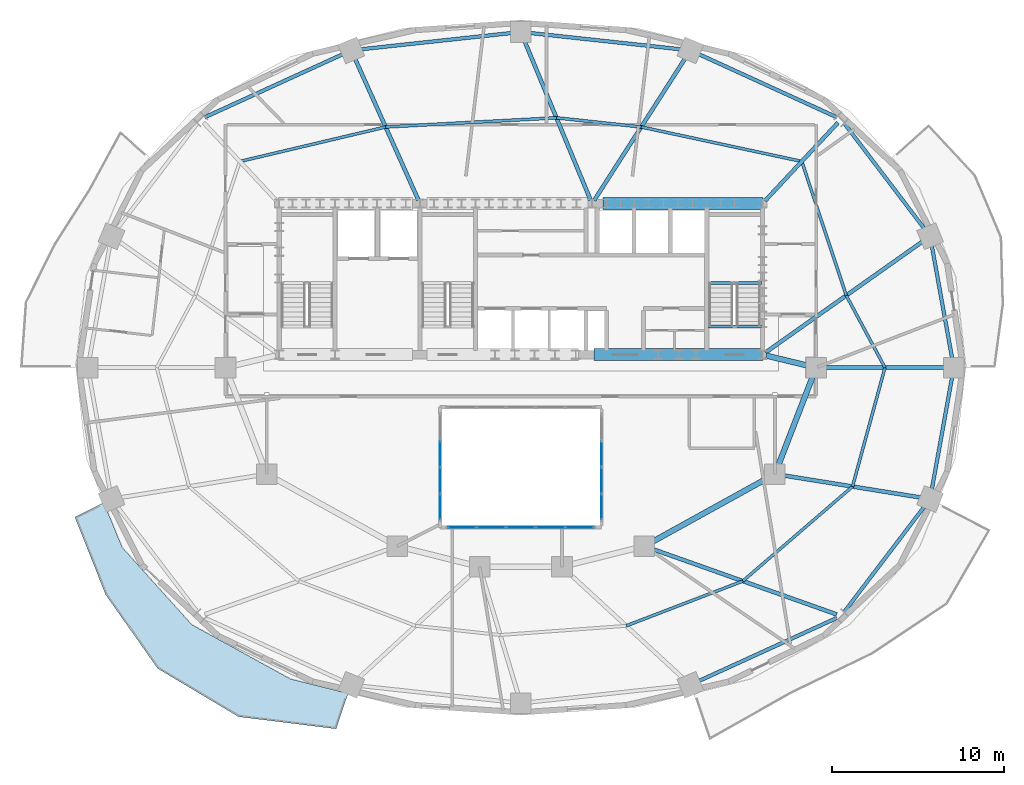
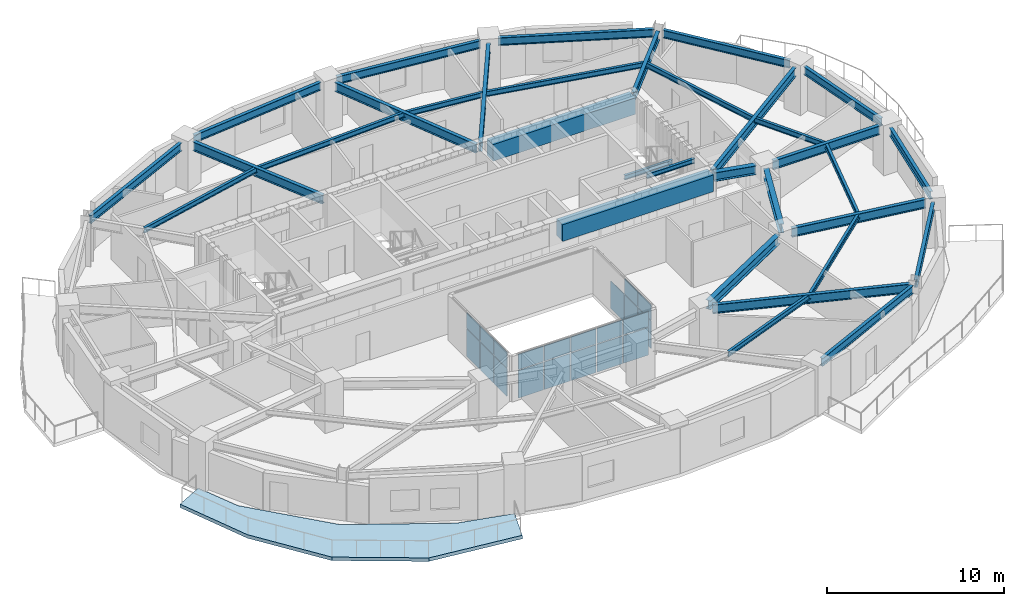
# One storey, part 4 of 12: 33 beams, 21 plates, 1 slab, 3 elements without a shape of their own.
"""IFC4 building model written with IfcOpenShell, lengths in metres."""

from ifc_helpers import new_model, si_unit, direction, frame, origin, origin_2d, place, context, subcontext, project, spatial, polyline, rectangle, i_section, outline, extrude, material, layer, layer_set, material_profile, profile_set, type_object, element, aggregate, save


model = new_model("IFC4")

# Units and contexts
model_context = context("Model", 3, precision=1e-05, world=origin(), true_north=direction((0.0, 1.0)))
body_context = subcontext(model_context, "Body", "Model", "MODEL_VIEW")
ifc_project = project(units=[si_unit("LENGTHUNIT", "METRE"), si_unit("AREAUNIT", "SQUARE_METRE"), si_unit("VOLUMEUNIT", "CUBIC_METRE"), si_unit("PLANEANGLEUNIT", "RADIAN"), si_unit("MASSUNIT", "GRAM", prefix="KILO")], contexts=[model_context])

# Site, building, storey
site_placement = place(None, origin())
site = spatial("IfcSite", under=ifc_project, at=site_placement, CompositionType="ELEMENT")
building_placement = place(site_placement, origin())
building = spatial("IfcBuilding", under=site, at=building_placement, Name="Haldorwick Loom Tower", CompositionType="ELEMENT")
storey_placement = place(building_placement, frame((0.0, 0.0, 146.0)))
storey = spatial("IfcBuildingStorey", under=building, at=storey_placement, Name="L39", CompositionType="ELEMENT", Elevation=146.0)

# Beams
ifc_material_1 = material(Name="Concrete C60 (60 MPa)", Category="concrete")
ifc_material_profile_1 = material_profile(ifc_material_1, rectangle(XDim=0.699951171875, YDim=1.14990234375, at=origin_2d()), Name="RC700X1150", Category="concrete")
ifc_profile_set_1 = profile_set([ifc_material_profile_1], Name="Concrete C60 (60 MPa)")
beam_type_1 = type_object("IfcBeamType", Name="STR-BM-CB1150", PredefinedType="LINTEL", material=ifc_profile_set_1)
beam_1_placement = place(storey_placement, frame((40.800048828125, 35.550048828125, 2.574951171875), z_axis=(1.0, 0.0, 0.0), x_axis=(0.0, 1.0, 0.0)))
element("IfcBeam", 1, at=beam_1_placement, inside=storey, type_object=beam_type_1, Name="L39 Core Coupling Beam CB-N3", PredefinedType="LINTEL", context=body_context, shape_type="SweptSolid", body=[
    extrude(rectangle(XDim=0.699951171875, YDim=1.14990234375, at=origin_2d()), origin(), (0.0, 0.0, 1.0), 9.300048828125),
])
beam_2_placement = place(storey_placement, frame((40.25, 26.75, 2.574951171875), z_axis=(1.0, 0.0, 0.0), x_axis=(0.0, 1.0, 0.0)))
element("IfcBeam", 2, at=beam_2_placement, inside=storey, type_object=beam_type_1, Name="L39 Core Coupling Beam CB-S3", PredefinedType="LINTEL", context=body_context, shape_type="SweptSolid", body=[
    extrude(rectangle(XDim=0.699951171875, YDim=1.14990234375, at=origin_2d()), origin(), (0.0, 0.0, 1.0), 9.85009765625),
])
ifc_material_2 = material(Name="Steel CSA G40.21 350W", Category="steel")
ifc_material_profile_2 = material_profile(ifc_material_2, i_section(OverallWidth=0.172119140625, OverallDepth=0.35791015625, WebThickness=0.0078125, FlangeThickness=0.01318359375, at=origin_2d()), Name="W360X57", Category="steel")
ifc_profile_set_2 = profile_set([ifc_material_profile_2], Name="Steel CSA G40.21 350W")
beam_type_2 = type_object("IfcBeamType", Name="STR-BM-J360", PredefinedType="JOIST", material=ifc_profile_set_2)
beam_3_placement = place(storey_placement, frame((57.20849609375, 26.0, 2.970947265625), z_axis=(-0.472930162238, 0.881099915813, 0.0), x_axis=(-0.881099915813, -0.472930162238, 0.0)))
element("IfcBeam", 3, at=beam_3_placement, inside=storey, type_object=beam_type_2, Name="L39 Mid-Bay Secondary Joist 1", PredefinedType="JOIST", context=body_context, shape_type="SweptSolid", body=[
    extrude(i_section(OverallWidth=0.172119140625, OverallDepth=0.35791015625, WebThickness=0.0078125, FlangeThickness=0.01318359375, at=origin_2d()), origin(), (0.0, 0.0, 1.0), 4.76904296875),
])
beam_4_placement = place(storey_placement, frame((54.953125, 30.201904296875, 2.970947265625), z_axis=(-0.314980632705, 0.949098098734, 0.0), x_axis=(-0.949098098734, -0.314980632705, 0.0)))
element("IfcBeam", 4, at=beam_4_placement, inside=storey, type_object=beam_type_2, Name="L39 Mid-Bay Secondary Joist 2", PredefinedType="JOIST", context=body_context, shape_type="SweptSolid", body=[
    extrude(i_section(OverallWidth=0.172119140625, OverallDepth=0.35791015625, WebThickness=0.0078125, FlangeThickness=0.01318359375, at=origin_2d()), origin(), (0.0, 0.0, 1.0), 8.223876953125),
])
beam_5_placement = place(storey_placement, frame((52.36279296875, 38.007080078125, 2.970947265625), z_axis=(-0.977737366421, 0.209832414808, 0.0), x_axis=(-0.209832414808, -0.977737366421, 0.0)))
element("IfcBeam", 5, at=beam_5_placement, inside=storey, type_object=beam_type_2, Name="L39 Mid-Bay Secondary Joist 3", PredefinedType="JOIST", context=body_context, shape_type="SweptSolid", body=[
    extrude(i_section(OverallWidth=0.172119140625, OverallDepth=0.35791015625, WebThickness=0.0078125, FlangeThickness=0.01318359375, at=origin_2d()), origin(), (0.0, 0.0, 1.0), 9.56396484375),
])
beam_6_placement = place(storey_placement, frame((43.01171875, 40.013916015625, 2.970947265625), z_axis=(-0.994212584227, 0.107430616514, 0.0), x_axis=(-0.107430616514, -0.994212584227, 0.0)))
element("IfcBeam", 6, at=beam_6_placement, inside=storey, type_object=beam_type_2, Name="L39 Mid-Bay Secondary Joist 4", PredefinedType="JOIST", context=body_context, shape_type="SweptSolid", body=[
    extrude(i_section(OverallWidth=0.172119140625, OverallDepth=0.35791015625, WebThickness=0.0078125, FlangeThickness=0.01318359375, at=origin_2d()), origin(), (0.0, 0.0, 1.0), 4.965576171875),
])
beam_7_placement = place(storey_placement, frame((38.074951171875, 40.54736328125, 2.970947265625), z_axis=(-0.998564927415, -0.053554511828, 0.0), x_axis=(0.053554511828, -0.998564927415, 0.0)))
element("IfcBeam", 7, at=beam_7_placement, inside=storey, type_object=beam_type_2, Name="L39 Mid-Bay Secondary Joist 5", PredefinedType="JOIST", context=body_context, shape_type="SweptSolid", body=[
    extrude(i_section(OverallWidth=0.172119140625, OverallDepth=0.35791015625, WebThickness=0.0078125, FlangeThickness=0.01318359375, at=origin_2d()), origin(), (0.0, 0.0, 1.0), 9.9609375),
])
beam_8_placement = place(storey_placement, frame((28.12841796875, 40.013916015625, 2.970947265625), z_axis=(-0.973189168086, -0.230006180612, 0.0), x_axis=(0.230006180612, -0.973189168086, 0.0)))
element("IfcBeam", 8, at=beam_8_placement, inside=storey, type_object=beam_type_2, Name="L39 Mid-Bay Secondary Joist 6", PredefinedType="JOIST", context=body_context, shape_type="SweptSolid", body=[
    extrude(i_section(OverallWidth=0.172119140625, OverallDepth=0.35791015625, WebThickness=0.0078125, FlangeThickness=0.01318359375, at=origin_2d()), origin(), (0.0, 0.0, 1.0), 8.72509765625),
])
beam_9_placement = place(storey_placement, frame((42.13671875, 10.961181640625, 2.970947265625), z_axis=(0.933586737031, 0.358351509609, 0.0), x_axis=(-0.358351509609, 0.933586737031, 0.0)))
element("IfcBeam", 9, at=beam_9_placement, inside=storey, type_object=beam_type_2, Name="L39 Mid-Bay Secondary Joist 14", PredefinedType="JOIST", context=body_context, shape_type="SweptSolid", body=[
    extrude(i_section(OverallWidth=0.172119140625, OverallDepth=0.35791015625, WebThickness=0.0078125, FlangeThickness=0.01318359375, at=origin_2d()), origin(), (0.0, 0.0, 1.0), 7.274169921875),
])
beam_10_placement = place(storey_placement, frame((48.927734375, 13.56787109375, 2.970947265625), z_axis=(0.75763401328, 0.652679631918, 0.0), x_axis=(-0.652679631918, 0.75763401328, 0.0)))
element("IfcBeam", 10, at=beam_10_placement, inside=storey, type_object=beam_type_2, Name="L39 Mid-Bay Secondary Joist 15", PredefinedType="JOIST", context=body_context, shape_type="SweptSolid", body=[
    extrude(i_section(OverallWidth=0.172119140625, OverallDepth=0.35791015625, WebThickness=0.0078125, FlangeThickness=0.01318359375, at=origin_2d()), origin(), (0.0, 0.0, 1.0), 8.4345703125),
])
beam_11_placement = place(storey_placement, frame((55.318115234375, 19.072998046875, 2.970947265625), z_axis=(0.263272762578, 0.964721437766, 0.0), x_axis=(-0.964721437766, 0.263272762578, 0.0)))
element("IfcBeam", 11, at=beam_11_placement, inside=storey, type_object=beam_type_2, Name="L39 Mid-Bay Secondary Joist 16", PredefinedType="JOIST", context=body_context, shape_type="SweptSolid", body=[
    extrude(i_section(OverallWidth=0.172119140625, OverallDepth=0.35791015625, WebThickness=0.0078125, FlangeThickness=0.01318359375, at=origin_2d()), origin(), (0.0, 0.0, 1.0), 7.180419921875),
])
ifc_material_profile_3 = material_profile(ifc_material_2, i_section(OverallWidth=0.2119140625, OverallDepth=0.5439453125, WebThickness=0.01318359375, FlangeThickness=0.021240234375, at=origin_2d()), Name="W530X123", Category="steel")
ifc_profile_set_3 = profile_set([ifc_material_profile_3], Name="Steel CSA G40.21 350W")
beam_type_3 = type_object("IfcBeamType", Name="STR-BM-SP530", PredefinedType="SPANDREL", material=ifc_profile_set_3)
beam_12_placement = place(storey_placement, frame((61.124755859375, 26.51171875, 2.8779296875), z_axis=(-0.177558730702, 0.984110205796, 0.0), x_axis=(-0.984110205796, -0.177558730702, 0.0)))
element("IfcBeam", 12, at=beam_12_placement, inside=storey, type_object=beam_type_3, Name="L39 Perimeter Spandrel 1", PredefinedType="SPANDREL", context=body_context, shape_type="SweptSolid", body=[
    extrude(i_section(OverallWidth=0.2119140625, OverallDepth=0.5439453125, WebThickness=0.01318359375, FlangeThickness=0.021240234375, at=origin_2d()), origin(), (0.0, 0.0, 1.0), 6.737548828125),
])
beam_13_placement = place(storey_placement, frame((59.521240234375, 34.067626953125, 2.8779296875), z_axis=(-0.605421356486, 0.795905133236, 0.0), x_axis=(-0.795905133236, -0.605421356486, 0.0)))
element("IfcBeam", 13, at=beam_13_placement, inside=storey, type_object=beam_type_3, Name="L39 Perimeter Spandrel 2", PredefinedType="SPANDREL", context=body_context, shape_type="SweptSolid", body=[
    extrude(i_section(OverallWidth=0.2119140625, OverallDepth=0.5439453125, WebThickness=0.01318359375, FlangeThickness=0.021240234375, at=origin_2d()), origin(), (0.0, 0.0, 1.0), 7.761962890625),
])
beam_14_placement = place(storey_placement, frame((54.405517578125, 40.57861328125, 2.8779296875), z_axis=(-0.909534296496, 0.415628877121, 0.0), x_axis=(-0.415628877121, -0.909534296496, 0.0)))
element("IfcBeam", 14, at=beam_14_placement, inside=storey, type_object=beam_type_3, Name="L39 Perimeter Spandrel 3", PredefinedType="SPANDREL", context=body_context, shape_type="SweptSolid", body=[
    extrude(i_section(OverallWidth=0.2119140625, OverallDepth=0.5439453125, WebThickness=0.01318359375, FlangeThickness=0.021240234375, at=origin_2d()), origin(), (0.0, 0.0, 1.0), 8.86083984375),
])
for number, where, z_axis, x_axis, name in (
    (15, (45.356201171875, 44.533447265625, 2.8779296875), (-0.994210140187, 0.107453232386, 0.0), (-0.107453232386, -0.994210140187, 0.0), "L39 Perimeter Spandrel 4"),
    (16, (35.48291015625, 45.48876953125, 2.8779296875), (-0.994210140187, -0.107453232386, 0.0), (0.107453232386, -0.994210140187, 0.0), "L39 Perimeter Spandrel 5"),
):
    element("IfcBeam", number, at=place(storey_placement, frame(where, z_axis=z_axis, x_axis=x_axis)), inside=storey, type_object=beam_type_3, Name=name, PredefinedType="SPANDREL", context=body_context, shape_type="SweptSolid", body=[
        extrude(i_section(OverallWidth=0.2119140625, OverallDepth=0.5439453125, WebThickness=0.01318359375, FlangeThickness=0.021240234375, at=origin_2d()), origin(), (0.0, 0.0, 1.0), 8.890625),
    ])
for number, where, z_axis, x_axis, name in (
    (17, (25.65380859375, 44.261474609375, 2.8779296875), (-0.909534296496, -0.415628877121, 0.0), (0.415628877121, -0.909534296496, 0.0), "L39 Perimeter Spandrel 6"),
    (18, (46.34619140625, 7.738525390625, 2.8779296875), (0.909534296496, 0.415628877121, 0.0), (-0.415628877121, 0.909534296496, 0.0), "L39 Perimeter Spandrel 14"),
):
    element("IfcBeam", number, at=place(storey_placement, frame(where, z_axis=z_axis, x_axis=x_axis)), inside=storey, type_object=beam_type_3, Name=name, PredefinedType="SPANDREL", context=body_context, shape_type="SweptSolid", body=[
        extrude(i_section(OverallWidth=0.2119140625, OverallDepth=0.5439453125, WebThickness=0.01318359375, FlangeThickness=0.021240234375, at=origin_2d()), origin(), (0.0, 0.0, 1.0), 8.86083984375),
    ])
beam_15_placement = place(storey_placement, frame((54.822021484375, 11.754638671875, 2.8779296875), z_axis=(0.605421356486, 0.795905133236, 0.0), x_axis=(-0.795905133236, 0.605421356486, 0.0)))
element("IfcBeam", 19, at=beam_15_placement, inside=storey, type_object=beam_type_3, Name="L39 Perimeter Spandrel 15", PredefinedType="SPANDREL", context=body_context, shape_type="SweptSolid", body=[
    extrude(i_section(OverallWidth=0.2119140625, OverallDepth=0.5439453125, WebThickness=0.01318359375, FlangeThickness=0.021240234375, at=origin_2d()), origin(), (0.0, 0.0, 1.0), 7.761962890625),
])
beam_16_placement = place(storey_placement, frame((59.928466796875, 18.85791015625, 2.8779296875), z_axis=(0.177558730702, 0.984110205796, 0.0), x_axis=(-0.984110205796, 0.177558730702, 0.0)))
element("IfcBeam", 20, at=beam_16_placement, inside=storey, type_object=beam_type_3, Name="L39 Perimeter Spandrel 16", PredefinedType="SPANDREL", context=body_context, shape_type="SweptSolid", body=[
    extrude(i_section(OverallWidth=0.2119140625, OverallDepth=0.5439453125, WebThickness=0.01318359375, FlangeThickness=0.021240234375, at=origin_2d()), origin(), (0.0, 0.0, 1.0), 6.737548828125),
])
ifc_material_profile_4 = material_profile(ifc_material_2, i_section(OverallWidth=0.166015625, OverallDepth=0.31298828125, WebThickness=0.006591796875, FlangeThickness=0.01123046875, at=origin_2d()), Name="W310X45", Category="steel")
ifc_profile_set_4 = profile_set([ifc_material_profile_4], Name="Steel CSA G40.21 350W")
beam_type_4 = type_object("IfcBeamType", Name="STR-BM-STRM", PredefinedType="BEAM", material=ifc_profile_set_4)
for number, where, z_axis, x_axis, name in (
    (21, (46.889892578125, 28.39990234375, 2.993408203125), (1.0, 0.0, 0.0), (0.0, 1.0, 0.0), "L39 Stair ST-02 Landing Edge Trimmer"),
    (22, (46.889892578125, 30.919921875, 1.368408203125), (1.0, 0.0, 0.0), (0.0, 1.0, 0.0), "L39 Stair ST-02 Half-Landing Trimmer 1"),
):
    element("IfcBeam", number, at=place(storey_placement, frame(where, z_axis=z_axis, x_axis=x_axis)), inside=storey, type_object=beam_type_4, Name=name, PredefinedType="BEAM", context=body_context, shape_type="SweptSolid", body=[
        extrude(i_section(OverallWidth=0.166015625, OverallDepth=0.31298828125, WebThickness=0.006591796875, FlangeThickness=0.01123046875, at=origin_2d()), origin(), (0.0, 0.0, 1.0), 3.1201171875),
    ])
ifc_material_profile_5 = material_profile(ifc_material_2, i_section(OverallWidth=0.324951171875, OverallDepth=0.615966796875, WebThickness=0.013916015625, FlangeThickness=0.021484375, at=origin_2d()), Name="W610X174", Category="steel")
ifc_profile_set_5 = profile_set([ifc_material_profile_5], Name="Steel CSA G40.21 350W")
beam_type_5 = type_object("IfcBeamType", Name="STR-BM-W610A", PredefinedType="BEAM", material=ifc_profile_set_5)
beam_17_placement = place(storey_placement, frame((50.288818359375, 26.697509765625, 2.842041015625), z_axis=(0.97247055837, -0.233025777764, 0.0), x_axis=(0.233025777764, 0.97247055837, 0.0)))
element("IfcBeam", 23, at=beam_17_placement, inside=storey, type_object=beam_type_5, Name="L39 Inner Ring Girder 1", PredefinedType="BEAM", context=body_context, shape_type="SweptSolid", body=[
    extrude(i_section(OverallWidth=0.324951171875, OverallDepth=0.615966796875, WebThickness=0.013916015625, FlangeThickness=0.021484375, at=origin_2d()), origin(), (0.0, 0.0, 1.0), 2.4736328125),
])
beam_18_placement = place(storey_placement, frame((53.01220703125, 25.51513671875, 2.842041015625), z_axis=(-0.360964792353, -0.93257944363, 0.0), x_axis=(0.93257944363, -0.360964792353, 0.0)))
element("IfcBeam", 24, at=beam_18_placement, inside=storey, type_object=beam_type_5, Name="L39 Inner Ring Girder 2", PredefinedType="BEAM", context=body_context, shape_type="SweptSolid", body=[
    extrude(i_section(OverallWidth=0.324951171875, OverallDepth=0.615966796875, WebThickness=0.013916015625, FlangeThickness=0.021484375, at=origin_2d()), origin(), (0.0, 0.0, 1.0), 5.6083984375),
])
beam_19_placement = place(storey_placement, frame((50.344970703125, 19.548583984375, 2.842041015625), z_axis=(-0.875244382146, -0.483680960471, 0.0), x_axis=(0.483680960471, -0.875244382146, 0.0)))
element("IfcBeam", 25, at=beam_19_placement, inside=storey, type_object=beam_type_5, Name="L39 Inner Ring Girder 3", PredefinedType="BEAM", context=body_context, shape_type="SweptSolid", body=[
    extrude(i_section(OverallWidth=0.324951171875, OverallDepth=0.615966796875, WebThickness=0.013916015625, FlangeThickness=0.021484375, at=origin_2d()), origin(), (0.0, 0.0, 1.0), 7.6435546875),
])
ifc_material_profile_6 = material_profile(ifc_material_2, i_section(OverallWidth=0.22998046875, OverallDepth=0.616943359375, WebThickness=0.01318359375, FlangeThickness=0.022216796875, at=origin_2d()), Name="W610X140", Category="steel")
ifc_profile_set_6 = profile_set([ifc_material_profile_6], Name="Steel CSA G40.21 350W")
beam_type_6 = type_object("IfcBeamType", Name="STR-BM-W610B", PredefinedType="BEAM", material=ifc_profile_set_6)
beam_20_placement = place(storey_placement, frame((53.719970703125, 26.0, 2.841552734375), z_axis=(1.0, 0.0, 0.0), x_axis=(0.0, 1.0, 0.0)))
element("IfcBeam", 26, at=beam_20_placement, inside=storey, type_object=beam_type_6, Name="L39 Radial Floor Girder 1", PredefinedType="BEAM", context=body_context, shape_type="SweptSolid", body=[
    extrude(i_section(OverallWidth=0.22998046875, OverallDepth=0.616943359375, WebThickness=0.01318359375, FlangeThickness=0.022216796875, at=origin_2d()), origin(), (0.0, 0.0, 1.0), 6.97705078125),
])
beam_21_placement = place(storey_placement, frame((50.253662109375, 26.8798828125, 2.841552734375), z_axis=(0.816581567299, 0.577230061542, 0.0), x_axis=(-0.577230061542, 0.816581567299, 0.0)))
element("IfcBeam", 27, at=beam_21_placement, inside=storey, type_object=beam_type_6, Name="L39 Radial Floor Girder 2", PredefinedType="BEAM", context=body_context, shape_type="SweptSolid", body=[
    extrude(i_section(OverallWidth=0.22998046875, OverallDepth=0.616943359375, WebThickness=0.01318359375, FlangeThickness=0.022216796875, at=origin_2d()), origin(), (0.0, 0.0, 1.0), 11.215087890625),
])
beam_22_placement = place(storey_placement, frame((50.223388671875, 35.714599609375, 2.841552734375), z_axis=(0.682256728841, 0.731112683484, 0.0), x_axis=(-0.731112683484, 0.682256728841, 0.0)))
element("IfcBeam", 28, at=beam_22_placement, inside=storey, type_object=beam_type_6, Name="L39 Radial Floor Girder 3", PredefinedType="BEAM", context=body_context, shape_type="SweptSolid", body=[
    extrude(i_section(OverallWidth=0.22998046875, OverallDepth=0.616943359375, WebThickness=0.01318359375, FlangeThickness=0.022216796875, at=origin_2d()), origin(), (0.0, 0.0, 1.0), 6.221435546875),
])
beam_23_placement = place(storey_placement, frame((40.271484375, 35.739501953125, 2.841552734375), z_axis=(0.53969086509, 0.841863272829, 0.0), x_axis=(-0.841863272829, 0.53969086509, 0.0)))
element("IfcBeam", 29, at=beam_23_placement, inside=storey, type_object=beam_type_6, Name="L39 Radial Floor Girder 4", PredefinedType="BEAM", context=body_context, shape_type="SweptSolid", body=[
    extrude(i_section(OverallWidth=0.22998046875, OverallDepth=0.616943359375, WebThickness=0.01318359375, FlangeThickness=0.022216796875, at=origin_2d()), origin(), (0.0, 0.0, 1.0), 9.859375),
])
beam_24_placement = place(storey_placement, frame((40.063720703125, 35.7578125, 2.841552734375), z_axis=(-0.383472813848, 0.923552164764, 0.0), x_axis=(-0.923552164764, -0.383472813848, 0.0)))
element("IfcBeam", 30, at=beam_24_placement, inside=storey, type_object=beam_type_6, Name="L39 Radial Floor Girder 5", PredefinedType="BEAM", context=body_context, shape_type="SweptSolid", body=[
    extrude(i_section(OverallWidth=0.22998046875, OverallDepth=0.616943359375, WebThickness=0.01318359375, FlangeThickness=0.022216796875, at=origin_2d()), origin(), (0.0, 0.0, 1.0), 10.076904296875),
])
beam_25_placement = place(storey_placement, frame((30.037841796875, 35.75537109375, 2.841552734375), z_axis=(-0.409143536778, 0.912470035844, 0.0), x_axis=(-0.912470035844, -0.409143536778, 0.0)))
element("IfcBeam", 31, at=beam_25_placement, inside=storey, type_object=beam_type_6, Name="L39 Radial Floor Girder 6", PredefinedType="BEAM", context=body_context, shape_type="SweptSolid", body=[
    extrude(i_section(OverallWidth=0.22998046875, OverallDepth=0.616943359375, WebThickness=0.01318359375, FlangeThickness=0.022216796875, at=origin_2d()), origin(), (0.0, 0.0, 1.0), 9.0390625),
])
beam_26_placement = place(storey_placement, frame((43.690185546875, 15.426025390625, 2.841552734375), z_axis=(0.9424463153, -0.334357507433, 0.0), x_axis=(0.334357507433, 0.9424463153, 0.0)))
element("IfcBeam", 32, at=beam_26_placement, inside=storey, type_object=beam_type_6, Name="L39 Radial Floor Girder 15", PredefinedType="BEAM", context=body_context, shape_type="SweptSolid", body=[
    extrude(i_section(OverallWidth=0.22998046875, OverallDepth=0.616943359375, WebThickness=0.01318359375, FlangeThickness=0.022216796875, at=origin_2d()), origin(), (0.0, 0.0, 1.0), 11.360107421875),
])
beam_27_placement = place(storey_placement, frame((51.3134765625, 19.71728515625, 2.841552734375), z_axis=(0.987308639475, -0.158813256432, 0.0), x_axis=(0.158813256432, 0.987308639475, 0.0)))
element("IfcBeam", 33, at=beam_27_placement, inside=storey, type_object=beam_type_6, Name="L39 Radial Floor Girder 16", PredefinedType="BEAM", context=body_context, shape_type="SweptSolid", body=[
    extrude(i_section(OverallWidth=0.22998046875, OverallDepth=0.616943359375, WebThickness=0.01318359375, FlangeThickness=0.022216796875, at=origin_2d()), origin(), (0.0, 0.0, 1.0), 8.1123046875),
])

# Curtain wall, plates
ifc_material_3 = material(Name="Thermally Broken Anodized Aluminium Curtain Wall Framing", Category="aluminium")
curtain_wall_type = type_object("IfcCurtainWallType", Name="ARC-CW-03", PredefinedType="NOTDEFINED", material=ifc_material_3)
curtain_wall_1_placement = place(storey_placement, origin())
curtain_wall_1 = element("IfcCurtainWall", 34, at=curtain_wall_1_placement, inside=storey, type_object=curtain_wall_type, Name="L39 Atrium Glazed Screen S", PredefinedType="NOTDEFINED")
ifc_material_4 = material(Name="Triple-Glazed Low-E Argon Insulated Glazing Unit", Category="glass")
ifc_layer_1 = layer(ifc_material_4, 0.04296875, Name="Triple-Glazed Low-E Argon Insulated Glazing Unit", Category="glass")
ifc_layer_set_1 = layer_set([ifc_layer_1], Name="Triple-Glazed Low-E Argon Insulated Glazing Unit")
plate_type = type_object("IfcPlateType", Name="ARC-CWP-03", PredefinedType="CURTAIN_PANEL", material=ifc_layer_set_1)
plate_1_placement = place(storey_placement, frame((39.423583984375, 16.699951171875, 0.066162109375), z_axis=(0.0, 0.0, 1.0), x_axis=(-1.0, 0.0, 0.0)))
plate_1 = element("IfcPlate", 35, at=plate_1_placement, type_object=plate_type, Name="CW-03 panel 1.1", PredefinedType="CURTAIN_PANEL", context=body_context, shape_type="SweptSolid", body=[
    extrude(rectangle(XDim=1.62109375, YDim=0.04296875, at=origin_2d()), origin(), (0.0, 0.0, 1.0), 1.90087890625),
])
plate_2_placement = place(storey_placement, frame((39.423583984375, 16.699951171875, 2.033203125), z_axis=(0.0, 0.0, 1.0), x_axis=(-1.0, 0.0, 0.0)))
plate_2 = element("IfcPlate", 36, at=plate_2_placement, type_object=plate_type, Name="CW-03 panel 1.2", PredefinedType="CURTAIN_PANEL", context=body_context, shape_type="SweptSolid", body=[
    extrude(rectangle(XDim=1.62109375, YDim=0.04296875, at=origin_2d()), origin(), (0.0, 0.0, 1.0), 1.051025390625),
])
plate_3_placement = place(storey_placement, frame((37.719970703125, 16.699951171875, 0.066162109375), z_axis=(0.0, 0.0, 1.0), x_axis=(-1.0, 0.0, 0.0)))
plate_3 = element("IfcPlate", 37, at=plate_3_placement, type_object=plate_type, Name="CW-03 panel 2.1", PredefinedType="CURTAIN_PANEL", context=body_context, shape_type="SweptSolid", body=[
    extrude(rectangle(XDim=1.654052734375, YDim=0.04296875, at=origin_2d()), origin(), (0.0, 0.0, 1.0), 1.90087890625),
])
plate_4_placement = place(storey_placement, frame((37.719970703125, 16.699951171875, 2.033203125), z_axis=(0.0, 0.0, 1.0), x_axis=(-1.0, 0.0, 0.0)))
plate_4 = element("IfcPlate", 38, at=plate_4_placement, type_object=plate_type, Name="CW-03 panel 2.2", PredefinedType="CURTAIN_PANEL", context=body_context, shape_type="SweptSolid", body=[
    extrude(rectangle(XDim=1.654052734375, YDim=0.04296875, at=origin_2d()), origin(), (0.0, 0.0, 1.0), 1.051025390625),
])
plate_5_placement = place(storey_placement, frame((36.0, 16.699951171875, 0.066162109375), z_axis=(0.0, 0.0, 1.0), x_axis=(-1.0, 0.0, 0.0)))
plate_5 = element("IfcPlate", 39, at=plate_5_placement, type_object=plate_type, Name="CW-03 panel 3.1", PredefinedType="CURTAIN_PANEL", context=body_context, shape_type="SweptSolid", body=[
    extrude(rectangle(XDim=1.654052734375, YDim=0.04296875, at=origin_2d()), origin(), (0.0, 0.0, 1.0), 1.90087890625),
])
plate_6_placement = place(storey_placement, frame((36.0, 16.699951171875, 2.033203125), z_axis=(0.0, 0.0, 1.0), x_axis=(-1.0, 0.0, 0.0)))
plate_6 = element("IfcPlate", 40, at=plate_6_placement, type_object=plate_type, Name="CW-03 panel 3.2", PredefinedType="CURTAIN_PANEL", context=body_context, shape_type="SweptSolid", body=[
    extrude(rectangle(XDim=1.654052734375, YDim=0.04296875, at=origin_2d()), origin(), (0.0, 0.0, 1.0), 1.051025390625),
])
plate_7_placement = place(storey_placement, frame((34.280029296875, 16.699951171875, 0.066162109375), z_axis=(0.0, 0.0, 1.0), x_axis=(-1.0, 0.0, 0.0)))
plate_7 = element("IfcPlate", 41, at=plate_7_placement, type_object=plate_type, Name="CW-03 panel 4.1", PredefinedType="CURTAIN_PANEL", context=body_context, shape_type="SweptSolid", body=[
    extrude(rectangle(XDim=1.654052734375, YDim=0.04296875, at=origin_2d()), origin(), (0.0, 0.0, 1.0), 1.90087890625),
])
plate_8_placement = place(storey_placement, frame((34.280029296875, 16.699951171875, 2.033203125), z_axis=(0.0, 0.0, 1.0), x_axis=(-1.0, 0.0, 0.0)))
plate_8 = element("IfcPlate", 42, at=plate_8_placement, type_object=plate_type, Name="CW-03 panel 4.2", PredefinedType="CURTAIN_PANEL", context=body_context, shape_type="SweptSolid", body=[
    extrude(rectangle(XDim=1.654052734375, YDim=0.04296875, at=origin_2d()), origin(), (0.0, 0.0, 1.0), 1.051025390625),
])
plate_9_placement = place(storey_placement, frame((32.576416015625, 16.699951171875, 0.066162109375), z_axis=(0.0, 0.0, 1.0), x_axis=(-1.0, 0.0, 0.0)))
plate_9 = element("IfcPlate", 43, at=plate_9_placement, type_object=plate_type, Name="CW-03 panel 5.1", PredefinedType="CURTAIN_PANEL", context=body_context, shape_type="SweptSolid", body=[
    extrude(rectangle(XDim=1.62109375, YDim=0.04296875, at=origin_2d()), origin(), (0.0, 0.0, 1.0), 1.90087890625),
])
plate_10_placement = place(storey_placement, frame((32.576416015625, 16.699951171875, 2.033203125), z_axis=(0.0, 0.0, 1.0), x_axis=(-1.0, 0.0, 0.0)))
plate_10 = element("IfcPlate", 44, at=plate_10_placement, type_object=plate_type, Name="CW-03 panel 5.2", PredefinedType="CURTAIN_PANEL", context=body_context, shape_type="SweptSolid", body=[
    extrude(rectangle(XDim=1.62109375, YDim=0.04296875, at=origin_2d()), origin(), (0.0, 0.0, 1.0), 1.051025390625),
])
aggregate(curtain_wall_1, [plate_1, plate_2, plate_3, plate_4, plate_5, plate_6, plate_7, plate_8, plate_9, plate_10])

curtain_wall_2_placement = place(storey_placement, origin())
curtain_wall_2 = element("IfcCurtainWall", 45, at=curtain_wall_2_placement, inside=storey, type_object=curtain_wall_type, Name="L39 Atrium Glazed Screen W", PredefinedType="NOTDEFINED")
plate_11_placement = place(storey_placement, frame((31.300048828125, 17.8916015625, 0.066162109375), z_axis=(0.0, 0.0, 1.0), x_axis=(0.0, 1.0, 0.0)))
plate_11 = element("IfcPlate", 46, at=plate_11_placement, type_object=plate_type, Name="CW-03 panel 1.1", PredefinedType="CURTAIN_PANEL", context=body_context, shape_type="SweptSolid", body=[
    extrude(rectangle(XDim=1.450927734375, YDim=0.04296875, at=origin_2d()), origin(), (0.0, 0.0, 1.0), 1.90087890625),
])
plate_12_placement = place(storey_placement, frame((31.300048828125, 17.8916015625, 2.033203125), z_axis=(0.0, 0.0, 1.0), x_axis=(0.0, 1.0, 0.0)))
plate_12 = element("IfcPlate", 47, at=plate_12_placement, type_object=plate_type, Name="CW-03 panel 1.2", PredefinedType="CURTAIN_PANEL", context=body_context, shape_type="SweptSolid", body=[
    extrude(rectangle(XDim=1.450927734375, YDim=0.04296875, at=origin_2d()), origin(), (0.0, 0.0, 1.0), 1.051025390625),
])
plate_13_placement = place(storey_placement, frame((31.300048828125, 19.425048828125, 0.066162109375), z_axis=(0.0, 0.0, 1.0), x_axis=(0.0, 1.0, 0.0)))
plate_13 = element("IfcPlate", 48, at=plate_13_placement, type_object=plate_type, Name="CW-03 panel 2.1", PredefinedType="CURTAIN_PANEL", context=body_context, shape_type="SweptSolid", body=[
    extrude(rectangle(XDim=1.48388671875, YDim=0.04296875, at=origin_2d()), origin(), (0.0, 0.0, 1.0), 1.90087890625),
])
plate_14_placement = place(storey_placement, frame((31.300048828125, 19.425048828125, 2.033203125), z_axis=(0.0, 0.0, 1.0), x_axis=(0.0, 1.0, 0.0)))
plate_14 = element("IfcPlate", 49, at=plate_14_placement, type_object=plate_type, Name="CW-03 panel 2.2", PredefinedType="CURTAIN_PANEL", context=body_context, shape_type="SweptSolid", body=[
    extrude(rectangle(XDim=1.48388671875, YDim=0.04296875, at=origin_2d()), origin(), (0.0, 0.0, 1.0), 1.051025390625),
])
plate_15_placement = place(storey_placement, frame((31.300048828125, 20.97509765625, 0.066162109375), z_axis=(0.0, 0.0, 1.0), x_axis=(0.0, 1.0, 0.0)))
plate_15 = element("IfcPlate", 50, at=plate_15_placement, type_object=plate_type, Name="CW-03 panel 3.1", PredefinedType="CURTAIN_PANEL", context=body_context, shape_type="SweptSolid", body=[
    extrude(rectangle(XDim=1.48388671875, YDim=0.04296875, at=origin_2d()), origin(), (0.0, 0.0, 1.0), 1.90087890625),
])
plate_16_placement = place(storey_placement, frame((31.300048828125, 20.97509765625, 2.033203125), z_axis=(0.0, 0.0, 1.0), x_axis=(0.0, 1.0, 0.0)))
plate_16 = element("IfcPlate", 51, at=plate_16_placement, type_object=plate_type, Name="CW-03 panel 3.2", PredefinedType="CURTAIN_PANEL", context=body_context, shape_type="SweptSolid", body=[
    extrude(rectangle(XDim=1.48388671875, YDim=0.04296875, at=origin_2d()), origin(), (0.0, 0.0, 1.0), 1.051025390625),
])
aggregate(curtain_wall_2, [plate_11, plate_12, plate_13, plate_14, plate_15, plate_16])

curtain_wall_3_placement = place(storey_placement, origin())
curtain_wall_3 = element("IfcCurtainWall", 52, at=curtain_wall_3_placement, inside=storey, type_object=curtain_wall_type, Name="L39 Atrium Glazed Screen E", PredefinedType="NOTDEFINED")
plate_17_placement = place(storey_placement, frame((40.699951171875, 20.97509765625, 0.066162109375), z_axis=(0.0, 0.0, 1.0), x_axis=(0.0, -1.0, 0.0)))
plate_17 = element("IfcPlate", 53, at=plate_17_placement, type_object=plate_type, Name="CW-03 panel 2.1", PredefinedType="CURTAIN_PANEL", context=body_context, shape_type="SweptSolid", body=[
    extrude(rectangle(XDim=1.48388671875, YDim=0.04296875, at=origin_2d()), origin(), (0.0, 0.0, 1.0), 1.90087890625),
])
plate_18_placement = place(storey_placement, frame((40.699951171875, 19.425048828125, 0.066162109375), z_axis=(0.0, 0.0, 1.0), x_axis=(0.0, -1.0, 0.0)))
plate_18 = element("IfcPlate", 54, at=plate_18_placement, type_object=plate_type, Name="CW-03 panel 3.1", PredefinedType="CURTAIN_PANEL", context=body_context, shape_type="SweptSolid", body=[
    extrude(rectangle(XDim=1.48388671875, YDim=0.04296875, at=origin_2d()), origin(), (0.0, 0.0, 1.0), 1.90087890625),
])
plate_19_placement = place(storey_placement, frame((40.699951171875, 19.425048828125, 2.033203125), z_axis=(0.0, 0.0, 1.0), x_axis=(0.0, -1.0, 0.0)))
plate_19 = element("IfcPlate", 55, at=plate_19_placement, type_object=plate_type, Name="CW-03 panel 3.2", PredefinedType="CURTAIN_PANEL", context=body_context, shape_type="SweptSolid", body=[
    extrude(rectangle(XDim=1.48388671875, YDim=0.04296875, at=origin_2d()), origin(), (0.0, 0.0, 1.0), 1.051025390625),
])
plate_20_placement = place(storey_placement, frame((40.699951171875, 17.8916015625, 0.066162109375), z_axis=(0.0, 0.0, 1.0), x_axis=(0.0, -1.0, 0.0)))
plate_20 = element("IfcPlate", 56, at=plate_20_placement, type_object=plate_type, Name="CW-03 panel 4.1", PredefinedType="CURTAIN_PANEL", context=body_context, shape_type="SweptSolid", body=[
    extrude(rectangle(XDim=1.450927734375, YDim=0.04296875, at=origin_2d()), origin(), (0.0, 0.0, 1.0), 1.90087890625),
])
plate_21_placement = place(storey_placement, frame((40.699951171875, 17.8916015625, 2.033203125), z_axis=(0.0, 0.0, 1.0), x_axis=(0.0, -1.0, 0.0)))
plate_21 = element("IfcPlate", 57, at=plate_21_placement, type_object=plate_type, Name="CW-03 panel 4.2", PredefinedType="CURTAIN_PANEL", context=body_context, shape_type="SweptSolid", body=[
    extrude(rectangle(XDim=1.450927734375, YDim=0.04296875, at=origin_2d()), origin(), (0.0, 0.0, 1.0), 1.051025390625),
])
aggregate(curtain_wall_3, [plate_17, plate_18, plate_19, plate_20, plate_21])

# Slab
ifc_material_5 = material(Name="Concrete C40 (40 MPa)", Category="concrete")
ifc_layer_2 = layer(ifc_material_5, 0.239990234375, Name="Concrete C40 (40 MPa)", Category="concrete")
ifc_layer_set_2 = layer_set([ifc_layer_2], Name="Concrete C40 (40 MPa)")
slab_type = type_object("IfcSlabType", Name="STR-SLB-BAL240", PredefinedType="FLOOR", material=ifc_layer_set_2)
slab_placement = place(storey_placement, frame((0.0, 0.0, -0.239990234375)))
element("IfcSlab", 58, at=slab_placement, inside=storey, type_object=slab_type, Name="L39 Sinusoidal Balcony Terrace BAL_SW", PredefinedType="FLOOR", context=body_context, shape_type="SweptSolid", body=[
    extrude(outline(polyline([(25.939697265625, 7.02783203125), (22.6005859375, 7.861572265625), (22.599365234375, 7.86181640625), (22.59814453125, 7.8623046875), (22.596923828125, 7.863037109375), (16.84228515625, 11.02783203125), (16.8408203125, 11.028564453125), (16.83935546875, 11.02978515625), (16.83837890625, 11.031005859375), (12.786865234375, 15.526123046875), (12.785888671875, 15.527099609375), (12.78515625, 15.528076171875), (12.78466796875, 15.529296875), (12.783935546875, 15.530517578125), (11.715087890625, 18.142822265625), (10.030517578125, 17.2900390625), (11.82080078125, 12.77880859375), (14.848876953125, 8.4794921875), (19.559326171875, 5.66796875), (25.2392578125, 4.96044921875), (25.939697265625, 7.02783203125)])), origin(), (0.0, 0.0, 1.0), 0.239990234375),
])

save(model, "model.ifc")
